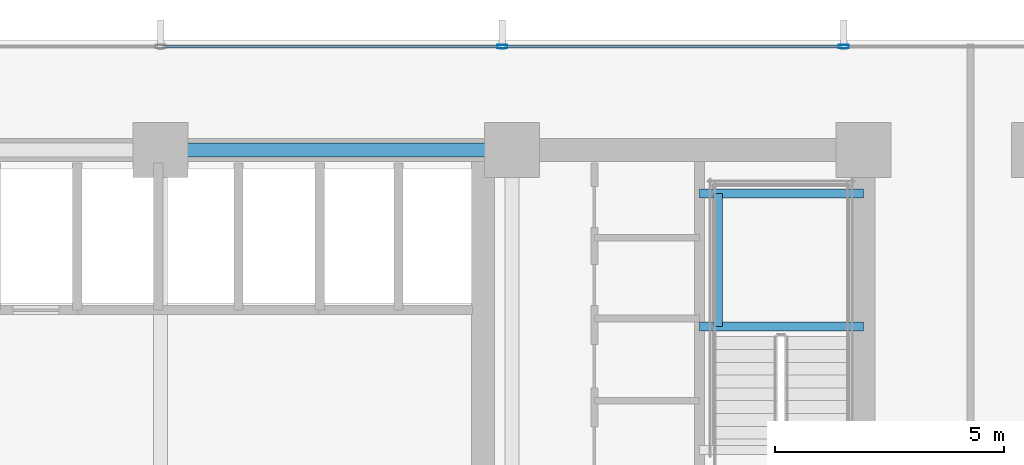
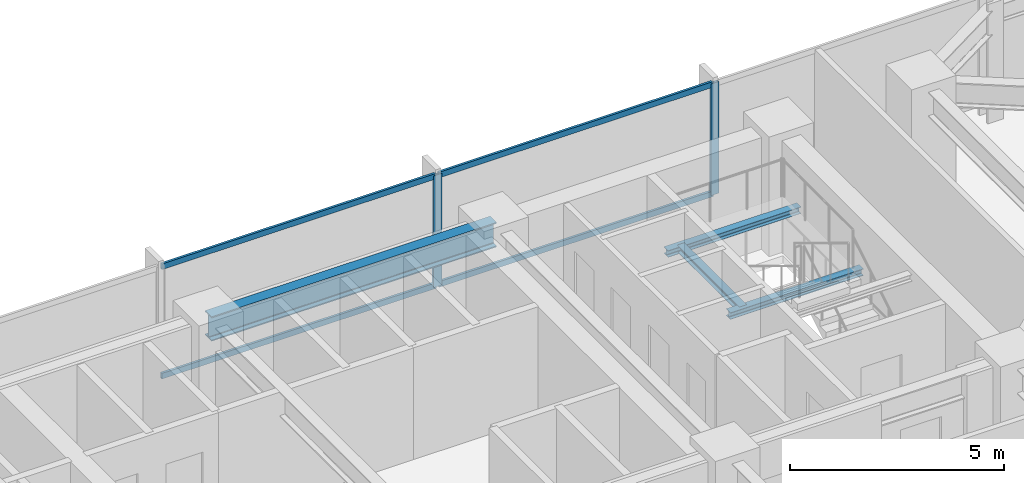
# One storey, part 19 of 33: 6 members, 4 beams, 1 element without a shape of its own.
"""IFC4 building model written with IfcOpenShell, lengths in metres."""

from ifc_helpers import new_model, si_unit, direction, frame, origin, origin_2d, place, context, subcontext, project, spatial, hollow_rectangle, i_section, extrude, material, material_profile, profile_set, type_object, element, aggregate, save


model = new_model("IFC4")

# Units and contexts
model_context = context("Model", 3, precision=1e-05, world=origin(), true_north=direction((0.0, 1.0)))
body_context = subcontext(model_context, "Body", "Model", "MODEL_VIEW")
ifc_project = project(units=[si_unit("LENGTHUNIT", "METRE"), si_unit("AREAUNIT", "SQUARE_METRE"), si_unit("VOLUMEUNIT", "CUBIC_METRE"), si_unit("PLANEANGLEUNIT", "RADIAN"), si_unit("MASSUNIT", "GRAM", prefix="KILO")], contexts=[model_context])

# Site, building, storey
site_placement = place(None, origin())
site = spatial("IfcSite", under=ifc_project, at=site_placement, CompositionType="ELEMENT")
building_placement = place(site_placement, origin())
building = spatial("IfcBuilding", under=site, at=building_placement, Name="Yelkora Congress Tower", CompositionType="ELEMENT")
storey_placement = place(building_placement, frame((0.0, 0.0, 71.199951171875)))
storey = spatial("IfcBuildingStorey", under=building, at=storey_placement, Name="L18", CompositionType="ELEMENT", Elevation=71.199951171875)

# Beams
ifc_material_1 = material(Name="Steel S355J2", Category="steel")
ifc_material_profile_1 = material_profile(ifc_material_1, i_section(OverallWidth=0.300048828125, OverallDepth=0.699951171875, WebThickness=0.01708984375, FlangeThickness=0.031982421875, FilletRadius=0.027099609375, at=origin_2d()), Name="HEB 700")
ifc_profile_set_1 = profile_set([ifc_material_profile_1], Name="Steel S355J2")
beam_type_1 = type_object("IfcBeamType", Name="BM-GIRD-HEB700", PredefinedType="BEAM", material=ifc_profile_set_1)
beam_1_placement = place(storey_placement, frame((38.39990234375, 46.199951171875, 2.830078125), z_axis=(1.0, 0.0, 0.0), x_axis=(0.0, 1.0, 0.0)))
element("IfcBeam", 1, at=beam_1_placement, inside=storey, type_object=beam_type_1, Name="L18 Core North Girder 4", PredefinedType="BEAM", context=body_context, shape_type="SweptSolid", body=[
    extrude(i_section(OverallWidth=0.300048828125, OverallDepth=0.699951171875, WebThickness=0.01708984375, FlangeThickness=0.031982421875, FilletRadius=0.027099609375, at=origin_2d()), origin(), (0.0, 0.0, 1.0), 7.68017578125),
])
ifc_material_profile_2 = material_profile(ifc_material_1, i_section(OverallWidth=0.199951171875, OverallDepth=0.18994140625, WebThickness=0.006591796875, FlangeThickness=0.010009765625, FilletRadius=0.01806640625, at=origin_2d()), Name="HEA 200")
ifc_profile_set_2 = profile_set([ifc_material_profile_2], Name="Steel S355J2")
beam_type_2 = type_object("IfcBeamType", Name="BM-LAND-HEA200", PredefinedType="BEAM", material=ifc_profile_set_2)
for number, where, z_axis, x_axis, name in (
    (2, (50.179931640625, 42.340087890625, 1.384765625), (1.0, 0.0, 0.0), (0.0, 1.0, 0.0), "ST-02 L18 Landing Header Beam 1S"),
    (3, (50.179931640625, 45.25, 1.384765625), (1.0, 0.0, 0.0), (0.0, 1.0, 0.0), "ST-02 L18 Landing Header Beam 1N"),
):
    element("IfcBeam", number, at=place(storey_placement, frame(where, z_axis=z_axis, x_axis=x_axis)), inside=storey, type_object=beam_type_2, Name=name, PredefinedType="BEAM", context=body_context, shape_type="SweptSolid", body=[
        extrude(i_section(OverallWidth=0.199951171875, OverallDepth=0.18994140625, WebThickness=0.006591796875, FlangeThickness=0.010009765625, FilletRadius=0.01806640625, at=origin_2d()), origin(), (0.0, 0.0, 1.0), 3.580078125),
    ])
beam_2_placement = place(storey_placement, frame((50.580078125, 42.340087890625, 1.384765625), z_axis=(0.0, 1.0, 0.0), x_axis=(-1.0, 0.0, 0.0)))
element("IfcBeam", 4, at=beam_2_placement, inside=storey, type_object=beam_type_2, Name="ST-02 L18 Landing Trimmer Beam 1M", PredefinedType="BEAM", context=body_context, shape_type="SweptSolid", body=[
    extrude(i_section(OverallWidth=0.199951171875, OverallDepth=0.18994140625, WebThickness=0.006591796875, FlangeThickness=0.010009765625, FilletRadius=0.01806640625, at=origin_2d()), origin(), (0.0, 0.0, 1.0), 2.909912109375),
])

# Curtain wall, members
ifc_material_2 = material(Name="Anodised aluminium and insulated glass", Category="aluminium")
curtain_wall_type = type_object("IfcCurtainWallType", Name="CW-SYS-B1", PredefinedType="NOTDEFINED", material=ifc_material_2)
curtain_wall_placement = place(storey_placement, origin())
curtain_wall = element("IfcCurtainWall", 5, at=curtain_wall_placement, inside=storey, type_object=curtain_wall_type, Name="L18 Unitised Curtain Wall 10", PredefinedType="NOTDEFINED")
ifc_material_3 = material(Name="Anodised aluminium 6063-T6", Category="aluminium")
ifc_material_profile_3 = material_profile(ifc_material_3, hollow_rectangle(XDim=0.074951171875, YDim=0.219970703125, WallThickness=0.0048828125, at=origin_2d()), Name="ALU 75x220x5")
ifc_profile_set_3 = profile_set([ifc_material_profile_3], Name="Anodised aluminium 6063-T6")
member_type_1 = type_object("IfcMemberType", Name="MEM-ML-B1", PredefinedType="MULLION", material=ifc_profile_set_3)
member_1_placement = place(storey_placement, frame((45.864990234375, 48.4599609375, 0.0), z_axis=(0.0, 0.0, 1.0), x_axis=(0.0, 1.0, 0.0)))
member_1 = element("IfcMember", 6, at=member_1_placement, type_object=member_type_1, Name="CW-B1 mullion 6", PredefinedType="MULLION", context=body_context, shape_type="SweptSolid", body=[
    extrude(hollow_rectangle(XDim=0.074951171875, YDim=0.219970703125, WallThickness=0.0048828125, at=origin_2d()), origin(), (0.0, 0.0, 1.0), 3.179931640625),
])
member_2_placement = place(storey_placement, frame((53.330078125, 48.4599609375, 0.0), z_axis=(0.0, 0.0, 1.0), x_axis=(0.0, 1.0, 0.0)))
member_2 = element("IfcMember", 7, at=member_2_placement, type_object=member_type_1, Name="CW-B1 mullion 7", PredefinedType="MULLION", context=body_context, shape_type="SweptSolid", body=[
    extrude(hollow_rectangle(XDim=0.074951171875, YDim=0.219970703125, WallThickness=0.0048828125, at=origin_2d()), origin(), (0.0, 0.0, 1.0), 3.179931640625),
])
ifc_material_profile_4 = material_profile(ifc_material_3, hollow_rectangle(XDim=0.06494140625, YDim=0.159912109375, WallThickness=0.00390625, at=origin_2d()), Name="ALU 65x160x4")
ifc_profile_set_4 = profile_set([ifc_material_profile_4], Name="Anodised aluminium 6063-T6")
member_type_2 = type_object("IfcMemberType", Name="MEM-TR-B1", PredefinedType="USERDEFINED", material=ifc_profile_set_4)
member_3_placement = place(storey_placement, frame((38.4375, 48.4599609375, 0.032470703125), z_axis=(1.0, 0.0, 0.0), x_axis=(0.0, 1.0, 0.0)))
member_3 = element("IfcMember", 8, at=member_3_placement, type_object=member_type_2, Name="CW-B1 transom 5.1", ObjectType="TRANSOM", PredefinedType="USERDEFINED", context=body_context, shape_type="SweptSolid", body=[
    extrude(hollow_rectangle(XDim=0.06494140625, YDim=0.159912109375, WallThickness=0.00390625, at=origin_2d()), origin(), (0.0, 0.0, 1.0), 7.389892578125),
])
member_4_placement = place(storey_placement, frame((38.4375, 48.4599609375, 3.1474609375), z_axis=(1.0, 0.0, 0.0), x_axis=(0.0, 1.0, 0.0)))
member_4 = element("IfcMember", 9, at=member_4_placement, type_object=member_type_2, Name="CW-B1 transom 5.2", ObjectType="TRANSOM", PredefinedType="USERDEFINED", context=body_context, shape_type="SweptSolid", body=[
    extrude(hollow_rectangle(XDim=0.06494140625, YDim=0.159912109375, WallThickness=0.00390625, at=origin_2d()), origin(), (0.0, 0.0, 1.0), 7.389892578125),
])
member_5_placement = place(storey_placement, frame((45.902587890625, 48.4599609375, 0.032470703125), z_axis=(1.0, 0.0, 0.0), x_axis=(0.0, 1.0, 0.0)))
member_5 = element("IfcMember", 10, at=member_5_placement, type_object=member_type_2, Name="CW-B1 transom 6.1", ObjectType="TRANSOM", PredefinedType="USERDEFINED", context=body_context, shape_type="SweptSolid", body=[
    extrude(hollow_rectangle(XDim=0.06494140625, YDim=0.159912109375, WallThickness=0.00390625, at=origin_2d()), origin(), (0.0, 0.0, 1.0), 7.389892578125),
])
member_6_placement = place(storey_placement, frame((45.902587890625, 48.4599609375, 3.1474609375), z_axis=(1.0, 0.0, 0.0), x_axis=(0.0, 1.0, 0.0)))
member_6 = element("IfcMember", 11, at=member_6_placement, type_object=member_type_2, Name="CW-B1 transom 6.2", ObjectType="TRANSOM", PredefinedType="USERDEFINED", context=body_context, shape_type="SweptSolid", body=[
    extrude(hollow_rectangle(XDim=0.06494140625, YDim=0.159912109375, WallThickness=0.00390625, at=origin_2d()), origin(), (0.0, 0.0, 1.0), 7.389892578125),
])
aggregate(curtain_wall, [member_1, member_2, member_3, member_4, member_5, member_6])

save(model, "model.ifc")
